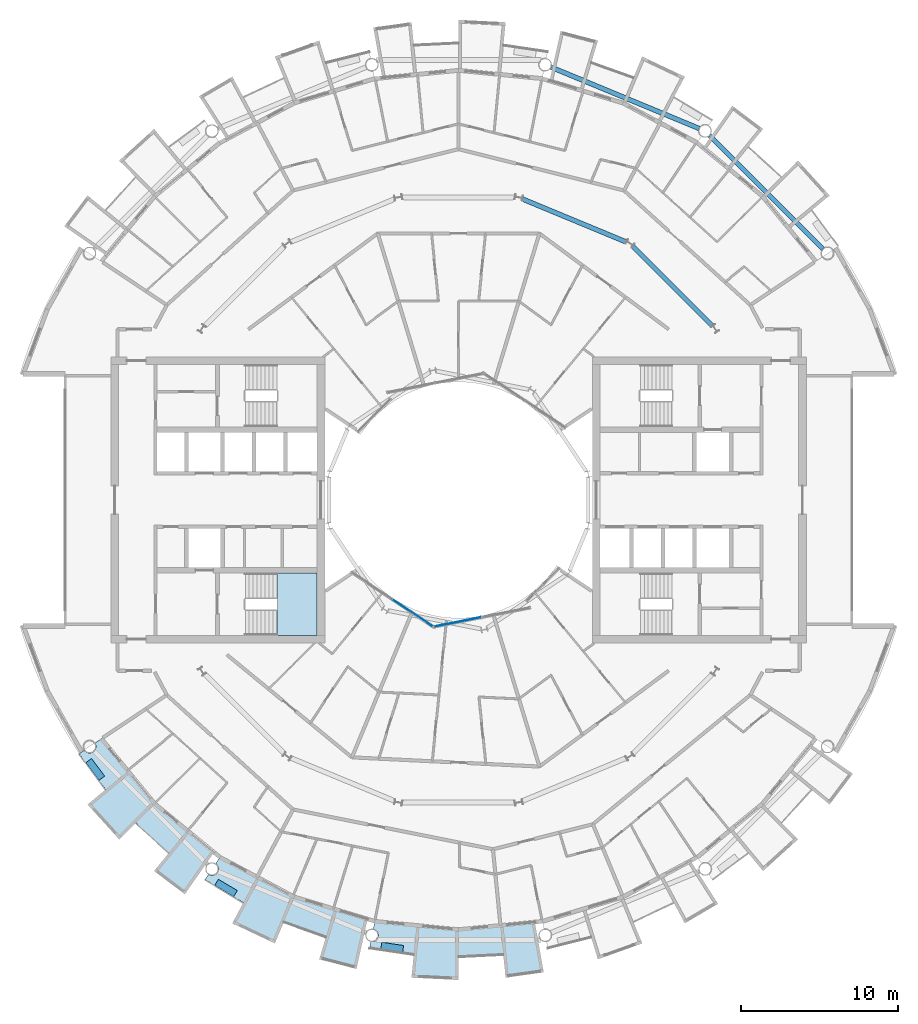
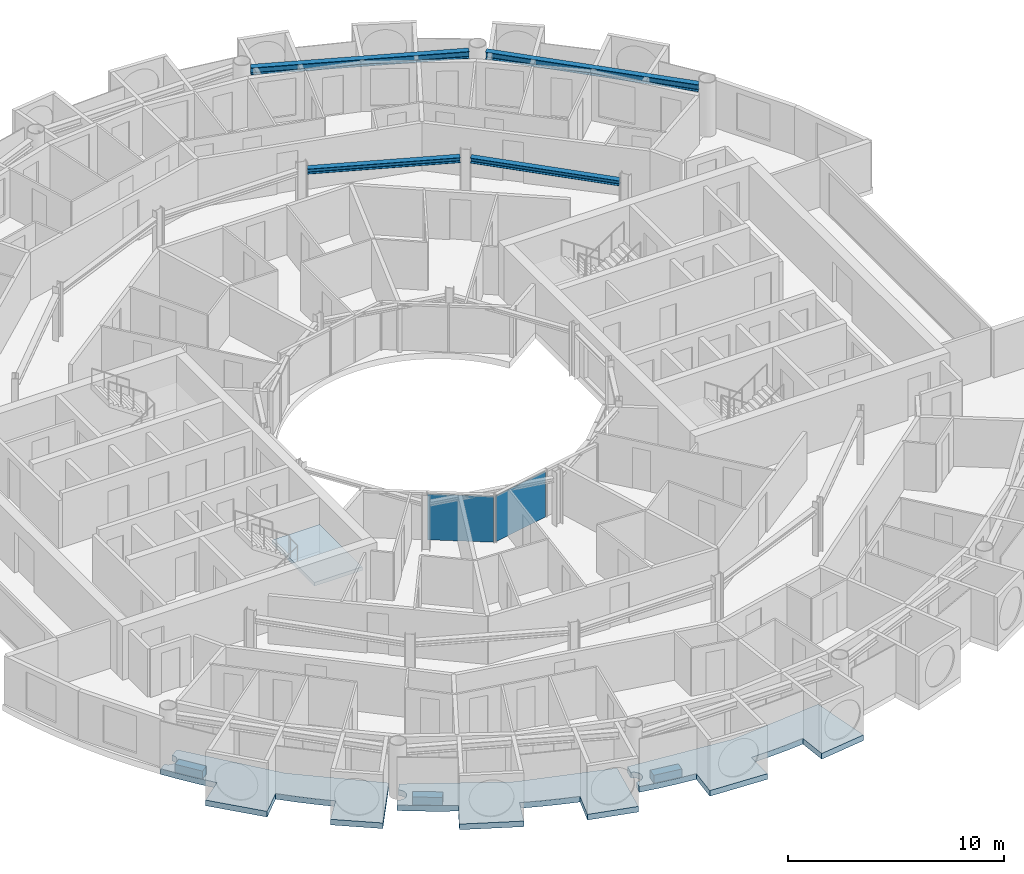
# One storey, part 10 of 26: 7 slabs, 4 beams, 2 plates, 3 elements without a shape of their own.
"""IFC4 building model written with IfcOpenShell, lengths in metres."""

from ifc_helpers import new_model, si_unit, direction, frame, origin, origin_2d, place, context, subcontext, project, spatial, polyline, rectangle, i_section, outline, extrude, material, layer, layer_set, material_profile, profile_set, type_object, element, aggregate, save


model = new_model("IFC4")

# Units and contexts
model_context = context("Model", 3, precision=1e-05, world=origin(), true_north=direction((0.0, 1.0)))
body_context = subcontext(model_context, "Body", "Model", "MODEL_VIEW")
ifc_project = project(units=[si_unit("LENGTHUNIT", "METRE"), si_unit("AREAUNIT", "SQUARE_METRE"), si_unit("VOLUMEUNIT", "CUBIC_METRE"), si_unit("PLANEANGLEUNIT", "RADIAN"), si_unit("MASSUNIT", "GRAM", prefix="KILO")], contexts=[model_context])

# Site, building, storey
site_placement = place(None, origin())
site = spatial("IfcSite", under=ifc_project, at=site_placement, CompositionType="ELEMENT")
building_placement = place(site_placement, origin())
building = spatial("IfcBuilding", under=site, at=building_placement, Name="Maasbend Ring Residences", CompositionType="ELEMENT")
storey_placement = place(building_placement, frame((0.0, 0.0, 154.35009765625)))
storey = spatial("IfcBuildingStorey", under=building, at=storey_placement, Name="L44", CompositionType="ELEMENT", Elevation=154.35009765625)

# Beams
ifc_material_1 = material(Name="Steel S355J2", Category="steel")
ifc_material_profile_1 = material_profile(ifc_material_1, i_section(OverallWidth=0.300048828125, OverallDepth=0.2900390625, WebThickness=0.008544921875, FlangeThickness=0.013916015625, FilletRadius=0.027099609375, at=origin_2d()), Name="HEA 300")
ifc_profile_set_1 = profile_set([ifc_material_profile_1], Name="Steel S355J2")
beam_type_1 = type_object("IfcBeamType", Name="Corridor ring beam HEA 300", PredefinedType="BEAM", material=ifc_profile_set_1)
for number, where, z_axis, x_axis, name in (
    (1, (16.11669921875, 11.0693359375, 2.554931640625), (-0.707106781187, 0.707106781187, 0.0), (-0.707106781187, -0.707106781187, 0.0), "Corridor ring beam"),
    (2, (10.65380859375, 16.394287109375, 2.554931640625), (-0.923871339849, 0.382703210602, 0.0), (-0.382703210602, -0.923871339849, 0.0), "Corridor ring beam"),
):
    element("IfcBeam", number, at=place(storey_placement, frame(where, z_axis=z_axis, x_axis=x_axis)), inside=storey, type_object=beam_type_1, Name=name, PredefinedType="BEAM", context=body_context, shape_type="SweptSolid", body=[
        extrude(i_section(OverallWidth=0.300048828125, OverallDepth=0.2900390625, WebThickness=0.008544921875, FlangeThickness=0.013916015625, FilletRadius=0.027099609375, at=origin_2d()), origin(), (0.0, 0.0, 1.0), 7.137939453125),
    ])
ifc_material_2 = material(Name="Steel S355J2", Category="steel")
ifc_material_profile_2 = material_profile(ifc_material_2, i_section(OverallWidth=0.300048828125, OverallDepth=0.39990234375, WebThickness=0.013427734375, FlangeThickness=0.02392578125, FilletRadius=0.027099609375, at=origin_2d()), Name="HEB 400")
ifc_profile_set_2 = profile_set([ifc_material_profile_2], Name="Steel S355J2")
beam_type_2 = type_object("IfcBeamType", Name="Spandrel ring beam HEB 400", PredefinedType="SPANDREL", material=ifc_profile_set_2)
for number, where, z_axis, x_axis, name in (
    (3, (23.159912109375, 15.95458984375, 2.5), (-0.707106781187, 0.707106781187, 0.0), (-0.707106781187, -0.707106781187, 0.0), "Spandrel ring beam"),
    (4, (15.29150390625, 23.60302734375, 2.5), (-0.923883676188, 0.382673428492, 0.0), (-0.382673428492, -0.923883676188, 0.0), "Spandrel ring beam"),
):
    element("IfcBeam", number, at=place(storey_placement, frame(where, z_axis=z_axis, x_axis=x_axis)), inside=storey, type_object=beam_type_2, Name=name, PredefinedType="SPANDREL", context=body_context, shape_type="SweptSolid", body=[
        extrude(i_section(OverallWidth=0.300048828125, OverallDepth=0.39990234375, WebThickness=0.013427734375, FlangeThickness=0.02392578125, FilletRadius=0.027099609375, at=origin_2d()), origin(), (0.0, 0.0, 1.0), 10.18994140625),
    ])

# Stair, slab
ifc_material_3 = material(Name="Concrete C40/50", Category="concrete")
stair_type = type_object("IfcStairType", Name="CORE STAIR 18 RISERS", PredefinedType="HALF_TURN_STAIR", material=ifc_material_3)
stair_placement = place(storey_placement, origin())
stair = element("IfcStair", 5, at=stair_placement, inside=storey, type_object=stair_type, Name="L44 Exit stair ST-W1", PredefinedType="HALF_TURN_STAIR")
ifc_material_4 = material(Name="Concrete C40/50", Category="concrete")
ifc_layer_1 = layer(ifc_material_4, 0.199951171875)
ifc_layer_set_1 = layer_set([ifc_layer_1], Name="Concrete C40/50")
slab_type_1 = type_object("IfcSlabType", Name="CORE STAIR LANDING 200", PredefinedType="LANDING", material=ifc_layer_set_1)
slab_1_placement = place(storey_placement, frame((0.0, 0.0, 1.324951171875)))
slab_1 = element("IfcSlab", 6, at=slab_1_placement, type_object=slab_type_1, Name="ST-W1 landing 1", PredefinedType="LANDING", context=body_context, shape_type="SweptSolid", body=[
    extrude(outline(polyline([(-11.550048828125, -8.60009765625), (-9.0, -8.60009765625), (-9.0, -4.64990234375), (-11.550048828125, -4.64990234375), (-11.550048828125, -8.60009765625)])), origin(), (0.0, 0.0, 1.0), 0.199951171875),
])
aggregate(stair, [slab_1])

# Curtain wall, plate
ifc_material_5 = material(Name="Aluminium and clear glass", Category="aluminium")
ifc_layer_2 = layer(ifc_material_5, 0.179931640625)
ifc_layer_set_2 = layer_set([ifc_layer_2], Name="CW-W")
curtain_wall_type = type_object("IfcCurtainWallType", Name="CW-W", PredefinedType="NOTDEFINED", material=ifc_layer_set_2)
curtain_wall_1_placement = place(storey_placement, origin())
curtain_wall_1 = element("IfcCurtainWall", 7, at=curtain_wall_1_placement, inside=storey, type_object=curtain_wall_type, Name="Well curtain wall S1", PredefinedType="NOTDEFINED")
ifc_material_6 = material(Name="Glass clear laminated", Category="glass")
ifc_layer_3 = layer(ifc_material_6, 0.031982421875)
ifc_layer_set_3 = layer_set([ifc_layer_3], Name="CWP-W")
plate_type = type_object("IfcPlateType", Name="CWP-W", PredefinedType="CURTAIN_PANEL", material=ifc_layer_set_3)
plate_1_placement = place(storey_placement, frame((-2.922119140625, -7.17578125, -0.000244140625), z_axis=(0.0, 0.0, 1.0), x_axis=(0.831469612303, -0.55557023302, 0.0)))
plate_1 = element("IfcPlate", 8, at=plate_1_placement, type_object=plate_type, Name="Glass panel well face", PredefinedType="CURTAIN_PANEL", context=body_context, shape_type="SweptSolid", body=[
    extrude(rectangle(XDim=3.053955078125, YDim=0.031982421875, at=origin_2d()), origin(), (0.0, 0.0, 1.0), 2.580078125),
])
aggregate(curtain_wall_1, [plate_1])

curtain_wall_2_placement = place(storey_placement, origin())
curtain_wall_2 = element("IfcCurtainWall", 9, at=curtain_wall_2_placement, inside=storey, type_object=curtain_wall_type, Name="Well curtain wall S2", PredefinedType="NOTDEFINED")
plate_2_placement = place(storey_placement, frame((-0.04638671875, -7.747802734375, -0.000244140625), z_axis=(0.0, 0.0, 1.0), x_axis=(0.980785280403, 0.195090322016, 0.0)))
plate_2 = element("IfcPlate", 10, at=plate_2_placement, type_object=plate_type, Name="Glass panel well face", PredefinedType="CURTAIN_PANEL", context=body_context, shape_type="SweptSolid", body=[
    extrude(rectangle(XDim=3.053955078125, YDim=0.031982421875, at=origin_2d()), origin(), (0.0, 0.0, 1.0), 2.580078125),
])
aggregate(curtain_wall_2, [plate_2])

# Slabs
ifc_material_7 = material(Name="Planting with climbing greenery")
ifc_layer_4 = layer(ifc_material_7, 0.449951171875)
ifc_layer_set_4 = layer_set([ifc_layer_4], Name="PLANTER-LG")
slab_type_2 = type_object("IfcSlabType", Name="PLANTER-LG", PredefinedType="USERDEFINED", material=ifc_layer_set_4)
slab_2_placement = place(storey_placement, frame((0.0, 0.0, -0.030029296875)))
element("IfcSlab", 11, at=slab_2_placement, inside=storey, type_object=slab_type_2, Name="Planter with climbing greenery 1", ObjectType="PLANTER", PredefinedType="USERDEFINED", context=body_context, shape_type="SweptSolid", body=[
    extrude(outline(polyline([(-23.681884765625, -16.69189453125), (-22.847900390625, -17.81689453125), (-22.487060546875, -17.549072265625), (-23.321044921875, -16.424072265625), (-23.681884765625, -16.69189453125)])), origin(), (0.0, 0.0, 1.0), 0.449951171875),
])
slab_3_placement = place(storey_placement, frame((0.0, 0.0, -0.030029296875)))
element("IfcSlab", 12, at=slab_3_placement, inside=storey, type_object=slab_type_2, Name="Planter with climbing greenery 2", ObjectType="PLANTER", PredefinedType="USERDEFINED", context=body_context, shape_type="SweptSolid", body=[
    extrude(outline(polyline([(-15.490966796875, -24.48388671875), (-14.291015625, -25.2041015625), (-14.05908203125, -24.818115234375), (-15.260009765625, -24.097900390625), (-15.490966796875, -24.48388671875)])), origin(), (0.0, 0.0, 1.0), 0.449951171875),
])
slab_4_placement = place(storey_placement, frame((0.0, 0.0, -0.030029296875)))
element("IfcSlab", 13, at=slab_4_placement, inside=storey, type_object=slab_type_2, Name="Planter with climbing greenery 3", ObjectType="PLANTER", PredefinedType="USERDEFINED", context=body_context, shape_type="SweptSolid", body=[
    extrude(outline(polyline([(-4.94189453125, -28.549072265625), (-3.55810546875, -28.75390625), (-3.491943359375, -28.30908203125), (-4.8759765625, -28.10400390625), (-4.94189453125, -28.549072265625)])), origin(), (0.0, 0.0, 1.0), 0.449951171875),
])
ifc_material_8 = material(Name="Concrete C40/50", Category="concrete")
ifc_layer_5 = layer(ifc_material_8, 0.199951171875)
ifc_layer_set_5 = layer_set([ifc_layer_5], Name="Concrete C40/50")
slab_type_3 = type_object("IfcSlabType", Name="SL-LOGGIA", PredefinedType="FLOOR", material=ifc_layer_set_5)
slab_5_placement = place(storey_placement, frame((0.0, 0.0, -0.35009765625)))
element("IfcSlab", 14, at=slab_5_placement, inside=storey, type_object=slab_type_3, Name="Loggia floor 1", PredefinedType="FLOOR", context=body_context, shape_type="SweptSolid", body=[
    extrude(outline(polyline([(-15.866943359375, -23.801025390625), (-15.85888671875, -23.805908203125), (-15.85009765625, -23.81005859375), (-15.841064453125, -23.81494140625), (-15.83203125, -23.819091796875), (-15.822998046875, -23.822998046875), (-15.81298828125, -23.826904296875), (-15.803955078125, -23.830078125), (-15.794921875, -23.8330078125), (-15.784912109375, -23.8359375), (-15.77587890625, -23.839111328125), (-15.76611328125, -23.842041015625), (-15.756103515625, -23.843994140625), (-15.74609375, -23.845947265625), (-15.737060546875, -23.847900390625), (-15.72705078125, -23.85009765625), (-15.717041015625, -23.85107421875), (-15.70703125, -23.85205078125), (-15.697021484375, -23.85302734375), (-15.68701171875, -23.85302734375), (-15.677001953125, -23.85400390625), (-15.6669921875, -23.85400390625), (-15.656982421875, -23.85400390625), (-15.64697265625, -23.85302734375), (-15.636962890625, -23.85302734375), (-15.626953125, -23.85205078125), (-15.616943359375, -23.85107421875), (-15.60693359375, -23.85009765625), (-15.597900390625, -23.847900390625), (-15.587890625, -23.845947265625), (-15.577880859375, -23.843994140625), (-15.568115234375, -23.842041015625), (-15.55908203125, -23.839111328125), (-15.549072265625, -23.8359375), (-15.5400390625, -23.8330078125), (-15.530029296875, -23.830078125), (-15.52099609375, -23.826904296875), (-15.511962890625, -23.822998046875), (-15.501953125, -23.819091796875), (-15.492919921875, -23.81494140625), (-15.48388671875, -23.81005859375), (-15.47509765625, -23.805908203125), (-15.467041015625, -23.801025390625), (-15.4580078125, -23.7958984375), (-15.449951171875, -23.791015625), (-15.44091796875, -23.784912109375), (-15.43310546875, -23.780029296875), (-15.425048828125, -23.77392578125), (-15.4169921875, -23.76806640625), (-15.408935546875, -23.761962890625), (-15.402099609375, -23.7548828125), (-15.39404296875, -23.7490234375), (-15.386962890625, -23.741943359375), (-15.3798828125, -23.735107421875), (-15.373046875, -23.72802734375), (-15.365966796875, -23.719970703125), (-15.35888671875, -23.712890625), (-15.35302734375, -23.705078125), (-15.346923828125, -23.697021484375), (-15.341064453125, -23.68994140625), (-15.3349609375, -23.680908203125), (-15.3291015625, -23.673095703125), (-15.323974609375, -23.6650390625), (-15.318115234375, -23.656005859375), (-15.31298828125, -23.64794921875), (-15.30908203125, -23.638916015625), (-15.303955078125, -23.6298828125), (-15.300048828125, -23.62109375), (-15.294921875, -23.612060546875), (-15.2919921875, -23.60302734375), (-15.2880859375, -23.593994140625), (-15.283935546875, -23.583984375), (-15.281005859375, -23.574951171875), (-15.278076171875, -23.56494140625), (-15.27490234375, -23.555908203125), (-15.27294921875, -23.5458984375), (-15.27001953125, -23.535888671875), (-15.26806640625, -23.527099609375), (-15.26708984375, -23.51708984375), (-15.264892578125, -23.507080078125), (-15.263916015625, -23.4970703125), (-15.262939453125, -23.487060546875), (-15.261962890625, -23.47705078125), (-15.260986328125, -23.467041015625), (-15.260986328125, -23.45703125), (-15.260986328125, -23.447021484375), (-15.260986328125, -23.43701171875), (-15.260986328125, -23.427001953125), (-15.261962890625, -23.4169921875), (-15.262939453125, -23.407958984375), (-15.263916015625, -23.39794921875), (-15.264892578125, -23.387939453125), (-15.26708984375, -23.3779296875), (-15.26806640625, -23.367919921875), (-15.27001953125, -23.35791015625), (-15.27294921875, -23.34912109375), (-15.27490234375, -23.339111328125), (-15.278076171875, -23.3291015625), (-15.281005859375, -23.320068359375), (-15.283935546875, -23.31005859375), (-15.2880859375, -23.301025390625), (-15.2919921875, -23.2919921875), (-15.294921875, -23.282958984375), (-15.300048828125, -23.27392578125), (-15.303955078125, -23.264892578125), (-15.30908203125, -23.256103515625), (-15.31298828125, -23.2470703125), (-15.318115234375, -23.238037109375), (-15.323974609375, -23.22998046875), (-15.3291015625, -23.221923828125), (-15.3349609375, -23.212890625), (-15.341064453125, -23.205078125), (-15.346923828125, -23.197021484375), (-15.35302734375, -23.18994140625), (-15.35888671875, -23.181884765625), (-15.365966796875, -23.174072265625), (-15.373046875, -23.1669921875), (-15.3798828125, -23.159912109375), (-15.386962890625, -23.153076171875), (-15.39404296875, -23.14599609375), (-15.402099609375, -23.139892578125), (-15.408935546875, -23.133056640625), (-15.4169921875, -23.126953125), (-15.425048828125, -23.12109375), (-15.43310546875, -23.114990234375), (-15.44091796875, -23.10888671875), (-15.1669921875, -22.698974609375), (-15.1669921875, -22.698974609375), (-15.1669921875, -22.698974609375), (-12.806884765625, -23.9609375), (-10.447021484375, -25.221923828125), (-10.447021484375, -25.221923828125), (-10.447021484375, -25.221923828125), (-7.886962890625, -25.9990234375), (-5.797119140625, -26.633056640625), (-5.797119140625, -26.633056640625), (-5.797119140625, -26.633056640625), (-6.487060546875, -29.802001953125), (-6.487060546875, -29.802001953125), (-6.487060546875, -29.802001953125), (-8.85400390625, -29.18701171875), (-8.85400390625, -29.18701171875), (-8.85400390625, -29.18701171875), (-8.41796875, -27.751953125), (-8.41796875, -27.751953125), (-8.41796875, -27.751953125), (-8.41796875, -27.751953125), (-8.41796875, -27.751953125), (-8.41796875, -27.751953125), (-8.41796875, -27.7509765625), (-8.41796875, -27.7509765625), (-8.41796875, -27.7509765625), (-8.41796875, -27.7509765625), (-8.41796875, -27.7509765625), (-8.4189453125, -27.7509765625), (-8.4189453125, -27.7509765625), (-8.4189453125, -27.7509765625), (-8.4189453125, -27.7509765625), (-8.4189453125, -27.7509765625), (-8.4189453125, -27.7509765625), (-9.322021484375, -27.4609375), (-9.322021484375, -27.4609375), (-10.215087890625, -27.14111328125), (-10.215087890625, -27.14111328125), (-11.096923828125, -26.79296875), (-11.096923828125, -26.79296875), (-11.096923828125, -26.79296875), (-11.097900390625, -26.79296875), (-11.097900390625, -26.79296875), (-11.097900390625, -26.79296875), (-11.097900390625, -26.79296875), (-11.097900390625, -26.79296875), (-11.097900390625, -26.79296875), (-11.097900390625, -26.79296875), (-11.097900390625, -26.79296875), (-11.097900390625, -26.79296875), (-11.097900390625, -26.79296875), (-11.097900390625, -26.79296875), (-11.097900390625, -26.79296875), (-11.097900390625, -26.79296875), (-11.097900390625, -26.79296875), (-11.672119140625, -28.177978515625), (-11.672119140625, -28.177978515625), (-11.672119140625, -28.177978515625), (-14.3779296875, -26.89892578125), (-14.3779296875, -26.89892578125), (-14.3779296875, -26.89892578125), (-13.6708984375, -25.575927734375), (-13.6708984375, -25.575927734375), (-13.6708984375, -25.575927734375), (-13.6708984375, -25.575927734375), (-13.6708984375, -25.575927734375), (-13.6708984375, -25.575927734375), (-13.6708984375, -25.575927734375), (-13.6708984375, -25.575927734375), (-13.6708984375, -25.575927734375), (-13.6708984375, -25.575927734375), (-13.6708984375, -25.575927734375), (-13.6708984375, -25.575927734375), (-13.6708984375, -25.575927734375), (-13.6708984375, -25.575927734375), (-13.6708984375, -25.575927734375), (-13.6708984375, -25.575927734375), (-13.6708984375, -25.574951171875), (-14.5, -25.114990234375), (-14.5, -25.114990234375), (-15.31396484375, -24.626953125), (-15.31396484375, -24.626953125), (-16.112060546875, -24.113037109375), (-16.112060546875, -24.113037109375), (-16.112060546875, -24.113037109375), (-15.89306640625, -23.784912109375), (-15.885009765625, -23.791015625), (-15.8759765625, -23.7958984375), (-15.866943359375, -23.801025390625)])), origin(), (0.0, 0.0, 1.0), 0.320068359375),
])
slab_6_placement = place(storey_placement, frame((0.0, 0.0, -0.35009765625)))
element("IfcSlab", 15, at=slab_6_placement, inside=storey, type_object=slab_type_3, Name="Loggia floor 3", PredefinedType="FLOOR", context=body_context, shape_type="SweptSolid", body=[
    extrude(outline(polyline([(-2.6630859375, -27.0380859375), (0.0, -27.300048828125), (0.0, -27.300048828125), (0.0, -27.300048828125), (2.6630859375, -27.0380859375), (4.8359375, -26.823974609375), (4.8359375, -26.823974609375), (4.8359375, -26.823974609375), (5.412109375, -30.01611328125), (5.412109375, -30.01611328125), (5.412109375, -30.01611328125), (2.989990234375, -30.35302734375), (2.989990234375, -30.35302734375), (2.989990234375, -30.35302734375), (2.843017578125, -28.861083984375), (2.843017578125, -28.861083984375), (2.843017578125, -28.861083984375), (2.843017578125, -28.861083984375), (2.842041015625, -28.861083984375), (2.842041015625, -28.861083984375), (2.842041015625, -28.861083984375), (2.842041015625, -28.861083984375), (2.842041015625, -28.861083984375), (2.842041015625, -28.860107421875), (2.842041015625, -28.860107421875), (2.842041015625, -28.860107421875), (2.842041015625, -28.860107421875), (2.842041015625, -28.860107421875), (2.842041015625, -28.860107421875), (2.842041015625, -28.860107421875), (2.842041015625, -28.860107421875), (1.89697265625, -28.93798828125), (1.89697265625, -28.93798828125), (0.948974609375, -28.98388671875), (0.948974609375, -28.98388671875), (0.0, -29.0), (0.0, -29.0), (0.0, -29.0), (0.0, -29.0), (0.0, -29.0), (0.0, -29.0), (0.0, -29.0), (0.0, -29.0), (0.0, -29.0), (0.0, -29.0), (0.0, -29.0), (0.0, -29.0), (0.0, -29.0), (0.0, -29.0), (0.0, -29.0), (0.0, -29.0), (0.0, -29.0), (0.0, -30.5), (0.0, -30.5), (0.0, -30.5), (-2.989990234375, -30.35302734375), (-2.989990234375, -30.35302734375), (-2.989990234375, -30.35302734375), (-2.843017578125, -28.861083984375), (-2.843017578125, -28.861083984375), (-2.843017578125, -28.861083984375), (-2.843017578125, -28.861083984375), (-2.843017578125, -28.861083984375), (-2.843017578125, -28.861083984375), (-2.843017578125, -28.861083984375), (-2.843017578125, -28.861083984375), (-2.843017578125, -28.860107421875), (-2.843017578125, -28.860107421875), (-2.843017578125, -28.860107421875), (-2.843017578125, -28.860107421875), (-2.843017578125, -28.860107421875), (-2.843017578125, -28.860107421875), (-2.843017578125, -28.860107421875), (-2.843017578125, -28.860107421875), (-2.843017578125, -28.860107421875), (-3.784912109375, -28.751953125), (-3.784912109375, -28.751953125), (-4.72412109375, -28.613037109375), (-4.72412109375, -28.613037109375), (-5.657958984375, -28.443115234375), (-5.657958984375, -28.443115234375), (-5.657958984375, -28.443115234375), (-5.5810546875, -28.056884765625), (-5.5810546875, -28.056884765625), (-5.571044921875, -28.05908203125), (-5.56103515625, -28.06005859375), (-5.551025390625, -28.06201171875), (-5.541015625, -28.06298828125), (-5.531005859375, -28.06298828125), (-5.52099609375, -28.06396484375), (-5.510986328125, -28.06396484375), (-5.501953125, -28.06494140625), (-5.491943359375, -28.06396484375), (-5.48193359375, -28.06396484375), (-5.471923828125, -28.06298828125), (-5.4619140625, -28.06298828125), (-5.451904296875, -28.06201171875), (-5.44189453125, -28.06005859375), (-5.431884765625, -28.05908203125), (-5.422119140625, -28.056884765625), (-5.412109375, -28.054931640625), (-5.403076171875, -28.052001953125), (-5.39306640625, -28.050048828125), (-5.383056640625, -28.047119140625), (-5.3740234375, -28.0439453125), (-5.364990234375, -28.041015625), (-5.35498046875, -28.037109375), (-5.345947265625, -28.033935546875), (-5.3369140625, -28.030029296875), (-5.327880859375, -28.02587890625), (-5.319091796875, -28.02099609375), (-5.31005859375, -28.01708984375), (-5.301025390625, -28.011962890625), (-5.29296875, -28.007080078125), (-5.283935546875, -28.001953125), (-5.27587890625, -27.99609375), (-5.26708984375, -27.989990234375), (-5.259033203125, -27.985107421875), (-5.2509765625, -27.97900390625), (-5.243896484375, -27.971923828125), (-5.236083984375, -27.966064453125), (-5.22900390625, -27.958984375), (-5.220947265625, -27.952880859375), (-5.214111328125, -27.946044921875), (-5.20703125, -27.93798828125), (-5.199951171875, -27.930908203125), (-5.194091796875, -27.924072265625), (-5.18701171875, -27.916015625), (-5.180908203125, -27.907958984375), (-5.175048828125, -27.89990234375), (-5.1689453125, -27.89208984375), (-5.1640625, -27.884033203125), (-5.157958984375, -27.8759765625), (-5.153076171875, -27.866943359375), (-5.14794921875, -27.85791015625), (-5.14306640625, -27.85009765625), (-5.137939453125, -27.841064453125), (-5.134033203125, -27.83203125), (-5.1298828125, -27.822998046875), (-5.1259765625, -27.81396484375), (-5.1220703125, -27.803955078125), (-5.118896484375, -27.794921875), (-5.115966796875, -27.785888671875), (-5.113037109375, -27.77587890625), (-5.110107421875, -27.76708984375), (-5.10693359375, -27.757080078125), (-5.10498046875, -27.7470703125), (-5.10302734375, -27.737060546875), (-5.10107421875, -27.72802734375), (-5.09912109375, -27.718017578125), (-5.097900390625, -27.7080078125), (-5.096923828125, -27.697998046875), (-5.095947265625, -27.68798828125), (-5.094970703125, -27.677978515625), (-5.094970703125, -27.66796875), (-5.094970703125, -27.657958984375), (-5.094970703125, -27.64794921875), (-5.094970703125, -27.637939453125), (-5.095947265625, -27.6279296875), (-5.096923828125, -27.617919921875), (-5.097900390625, -27.60791015625), (-5.09912109375, -27.597900390625), (-5.10107421875, -27.589111328125), (-5.10302734375, -27.5791015625), (-5.10498046875, -27.569091796875), (-5.10693359375, -27.55908203125), (-5.110107421875, -27.550048828125), (-5.113037109375, -27.5400390625), (-5.115966796875, -27.531005859375), (-5.118896484375, -27.52099609375), (-5.1220703125, -27.511962890625), (-5.1259765625, -27.5029296875), (-5.1298828125, -27.492919921875), (-5.134033203125, -27.48388671875), (-5.137939453125, -27.47509765625), (-5.14306640625, -27.466064453125), (-5.14794921875, -27.4580078125), (-5.153076171875, -27.448974609375), (-5.157958984375, -27.44091796875), (-5.1640625, -27.431884765625), (-5.1689453125, -27.424072265625), (-5.175048828125, -27.416015625), (-5.180908203125, -27.407958984375), (-5.18701171875, -27.39990234375), (-5.194091796875, -27.39306640625), (-5.199951171875, -27.385009765625), (-5.20703125, -27.3779296875), (-5.214111328125, -27.37109375), (-5.220947265625, -27.364013671875), (-5.22900390625, -27.35693359375), (-5.236083984375, -27.35009765625), (-5.243896484375, -27.343994140625), (-5.2509765625, -27.337890625), (-5.259033203125, -27.33203125), (-5.26708984375, -27.325927734375), (-5.27587890625, -27.320068359375), (-5.283935546875, -27.31494140625), (-5.29296875, -27.30908203125), (-5.301025390625, -27.303955078125), (-5.31005859375, -27.300048828125), (-5.319091796875, -27.294921875), (-5.327880859375, -27.291015625), (-5.3369140625, -27.285888671875), (-5.345947265625, -27.282958984375), (-5.35498046875, -27.279052734375), (-5.364990234375, -27.27490234375), (-5.3740234375, -27.27197265625), (-5.383056640625, -27.26904296875), (-5.39306640625, -27.26611328125), (-5.403076171875, -27.263916015625), (-5.412109375, -27.260986328125), (-5.422119140625, -27.259033203125), (-5.422119140625, -27.259033203125), (-5.325927734375, -26.77490234375), (-5.325927734375, -26.77490234375), (-5.325927734375, -26.77490234375), (-2.6630859375, -27.0380859375)])), origin(), (0.0, 0.0, 1.0), 0.320068359375),
])
slab_7_placement = place(storey_placement, frame((0.0, 0.0, -0.35009765625)))
element("IfcSlab", 16, at=slab_7_placement, inside=storey, type_object=slab_type_3, Name="Loggia floor 4", PredefinedType="FLOOR", context=body_context, shape_type="SweptSolid", body=[
    extrude(outline(polyline([(-23.77392578125, -15.908935546875), (-23.76806640625, -15.9169921875), (-23.761962890625, -15.925048828125), (-23.7548828125, -15.93310546875), (-23.7490234375, -15.93994140625), (-23.741943359375, -15.947021484375), (-23.735107421875, -15.955078125), (-23.72802734375, -15.9619140625), (-23.719970703125, -15.968017578125), (-23.712890625, -15.97509765625), (-23.705078125, -15.98095703125), (-23.697021484375, -15.988037109375), (-23.68994140625, -15.993896484375), (-23.680908203125, -15.9990234375), (-23.673095703125, -16.0048828125), (-23.6650390625, -16.010986328125), (-23.656005859375, -16.01611328125), (-23.64794921875, -16.02099609375), (-23.638916015625, -16.02587890625), (-23.6298828125, -16.030029296875), (-23.62109375, -16.034912109375), (-23.612060546875, -16.0390625), (-23.60302734375, -16.04296875), (-23.593994140625, -16.0458984375), (-23.583984375, -16.050048828125), (-23.574951171875, -16.052978515625), (-23.56494140625, -16.055908203125), (-23.555908203125, -16.05908203125), (-23.5458984375, -16.06103515625), (-23.535888671875, -16.06396484375), (-23.527099609375, -16.06591796875), (-23.51708984375, -16.068115234375), (-23.507080078125, -16.069091796875), (-23.4970703125, -16.071044921875), (-23.487060546875, -16.072021484375), (-23.47705078125, -16.072021484375), (-23.467041015625, -16.072998046875), (-23.45703125, -16.072998046875), (-23.447021484375, -16.073974609375), (-23.43701171875, -16.072998046875), (-23.427001953125, -16.072998046875), (-23.4169921875, -16.072021484375), (-23.407958984375, -16.072021484375), (-23.39794921875, -16.071044921875), (-23.387939453125, -16.069091796875), (-23.3779296875, -16.068115234375), (-23.367919921875, -16.06591796875), (-23.35791015625, -16.06396484375), (-23.34912109375, -16.06103515625), (-23.339111328125, -16.05908203125), (-23.3291015625, -16.055908203125), (-23.320068359375, -16.052978515625), (-23.31005859375, -16.050048828125), (-23.301025390625, -16.0458984375), (-23.2919921875, -16.04296875), (-23.282958984375, -16.0390625), (-23.27392578125, -16.034912109375), (-23.264892578125, -16.030029296875), (-23.256103515625, -16.02587890625), (-23.2470703125, -16.02099609375), (-23.238037109375, -16.01611328125), (-23.22998046875, -16.010986328125), (-23.221923828125, -16.0048828125), (-23.212890625, -15.9990234375), (-23.205078125, -15.993896484375), (-23.197021484375, -15.988037109375), (-23.18994140625, -15.98095703125), (-23.181884765625, -15.97509765625), (-23.174072265625, -15.968017578125), (-23.1669921875, -15.9619140625), (-23.159912109375, -15.955078125), (-23.153076171875, -15.947021484375), (-23.14599609375, -15.93994140625), (-23.139892578125, -15.93310546875), (-23.133056640625, -15.925048828125), (-23.126953125, -15.9169921875), (-23.12109375, -15.908935546875), (-23.114990234375, -15.90087890625), (-23.10888671875, -15.89306640625), (-23.10400390625, -15.885009765625), (-23.09912109375, -15.8759765625), (-23.093994140625, -15.866943359375), (-23.089111328125, -15.85888671875), (-23.083984375, -15.85009765625), (-23.080078125, -15.841064453125), (-23.075927734375, -15.83203125), (-23.072021484375, -15.822998046875), (-23.068115234375, -15.81298828125), (-23.06494140625, -15.803955078125), (-23.06103515625, -15.794921875), (-23.05810546875, -15.784912109375), (-23.055908203125, -15.77587890625), (-23.052978515625, -15.76611328125), (-23.051025390625, -15.756103515625), (-23.049072265625, -15.74609375), (-23.047119140625, -15.737060546875), (-23.044921875, -15.72705078125), (-23.0439453125, -15.717041015625), (-23.04296875, -15.70703125), (-23.0419921875, -15.697021484375), (-23.041015625, -15.68701171875), (-23.041015625, -15.677001953125), (-23.041015625, -15.6669921875), (-23.041015625, -15.656982421875), (-23.041015625, -15.64697265625), (-23.0419921875, -15.636962890625), (-23.04296875, -15.626953125), (-23.0439453125, -15.616943359375), (-23.044921875, -15.60693359375), (-23.047119140625, -15.597900390625), (-23.049072265625, -15.587890625), (-23.051025390625, -15.577880859375), (-23.052978515625, -15.568115234375), (-23.055908203125, -15.55908203125), (-23.05810546875, -15.549072265625), (-23.06103515625, -15.5400390625), (-23.06494140625, -15.530029296875), (-23.068115234375, -15.52099609375), (-23.072021484375, -15.511962890625), (-23.075927734375, -15.501953125), (-23.080078125, -15.492919921875), (-23.083984375, -15.48388671875), (-23.089111328125, -15.47509765625), (-23.093994140625, -15.467041015625), (-23.09912109375, -15.4580078125), (-23.10400390625, -15.449951171875), (-23.10888671875, -15.44091796875), (-23.10888671875, -15.44091796875), (-22.698974609375, -15.1669921875), (-22.698974609375, -15.1669921875), (-22.698974609375, -15.1669921875), (-21.001953125, -17.236083984375), (-19.303955078125, -19.303955078125), (-19.303955078125, -19.303955078125), (-19.303955078125, -19.303955078125), (-17.236083984375, -21.001953125), (-15.547119140625, -22.386962890625), (-15.547119140625, -22.386962890625), (-15.547119140625, -22.386962890625), (-17.39794921875, -25.051025390625), (-17.39794921875, -25.051025390625), (-17.39794921875, -25.051025390625), (-19.34912109375, -23.576904296875), (-19.34912109375, -23.576904296875), (-19.34912109375, -23.576904296875), (-18.39794921875, -22.41796875), (-18.39794921875, -22.41796875), (-18.39794921875, -22.41796875), (-18.39794921875, -22.41796875), (-18.39794921875, -22.41796875), (-18.39794921875, -22.4169921875), (-18.39794921875, -22.4169921875), (-18.39794921875, -22.4169921875), (-18.39794921875, -22.4169921875), (-18.39794921875, -22.4169921875), (-18.39794921875, -22.4169921875), (-18.39794921875, -22.4169921875), (-18.39794921875, -22.4169921875), (-18.39794921875, -22.4169921875), (-18.39794921875, -22.4169921875), (-18.39794921875, -22.4169921875), (-18.39794921875, -22.4169921875), (-19.12109375, -21.802978515625), (-19.12109375, -21.802978515625), (-19.823974609375, -21.166015625), (-19.823974609375, -21.166015625), (-20.506103515625, -20.506103515625), (-20.506103515625, -20.506103515625), (-20.506103515625, -20.506103515625), (-20.506103515625, -20.506103515625), (-20.506103515625, -20.506103515625), (-20.506103515625, -20.506103515625), (-20.506103515625, -20.506103515625), (-20.506103515625, -20.506103515625), (-20.506103515625, -20.506103515625), (-20.506103515625, -20.506103515625), (-20.506103515625, -20.506103515625), (-20.506103515625, -20.506103515625), (-20.506103515625, -20.506103515625), (-20.506103515625, -20.506103515625), (-20.506103515625, -20.506103515625), (-20.506103515625, -20.506103515625), (-20.506103515625, -20.506103515625), (-21.56689453125, -21.56689453125), (-21.56689453125, -21.56689453125), (-21.56689453125, -21.56689453125), (-23.576904296875, -19.34912109375), (-23.576904296875, -19.34912109375), (-23.576904296875, -19.34912109375), (-22.41796875, -18.39794921875), (-22.41796875, -18.39794921875), (-22.41796875, -18.39794921875), (-22.41796875, -18.39794921875), (-22.41796875, -18.39794921875), (-22.41796875, -18.39794921875), (-22.41796875, -18.39697265625), (-22.41796875, -18.39697265625), (-22.41796875, -18.39697265625), (-22.41796875, -18.39697265625), (-22.41796875, -18.39697265625), (-22.41796875, -18.39697265625), (-22.41796875, -18.39697265625), (-22.41796875, -18.39697265625), (-22.41796875, -18.39697265625), (-22.41796875, -18.39697265625), (-22.41796875, -18.39697265625), (-23.007080078125, -17.654052734375), (-23.007080078125, -17.654052734375), (-23.572998046875, -16.89208984375), (-23.572998046875, -16.89208984375), (-24.113037109375, -16.112060546875), (-24.113037109375, -16.112060546875), (-24.113037109375, -16.112060546875), (-23.784912109375, -15.89306640625), (-23.784912109375, -15.89306640625), (-23.780029296875, -15.90087890625), (-23.77392578125, -15.908935546875)])), origin(), (0.0, 0.0, 1.0), 0.320068359375),
])

save(model, "model.ifc")
